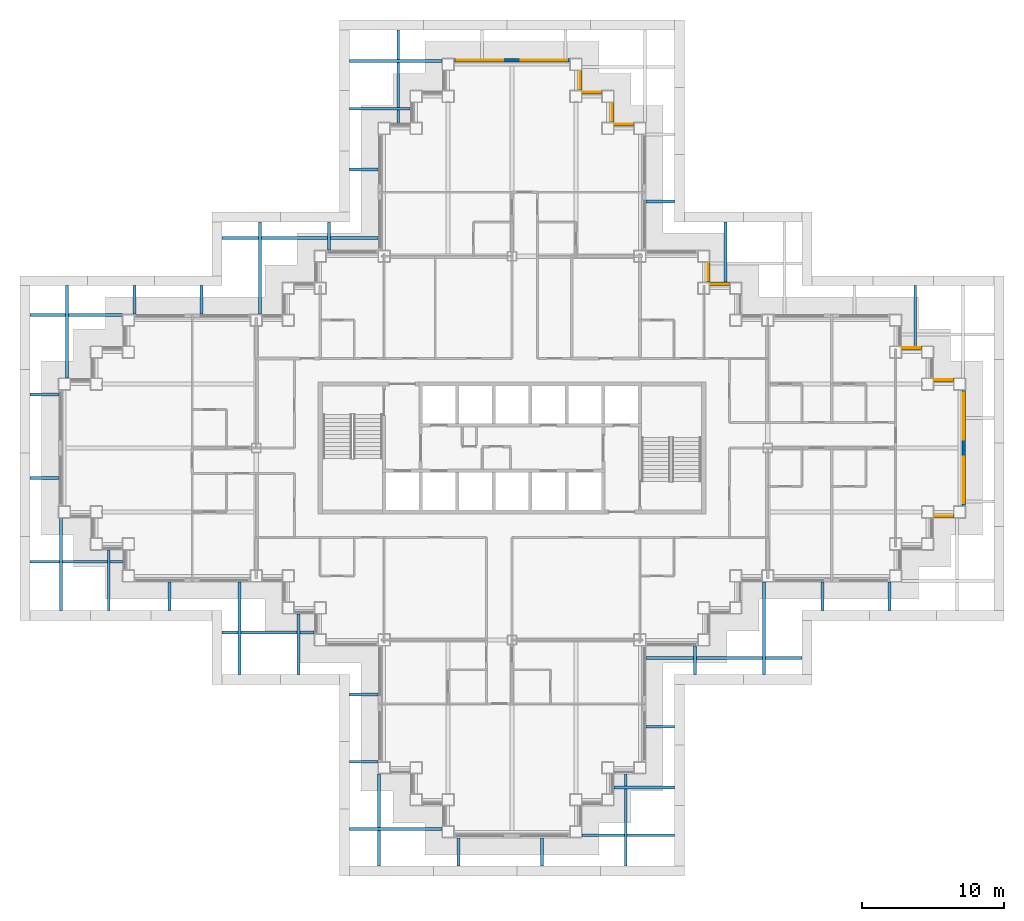
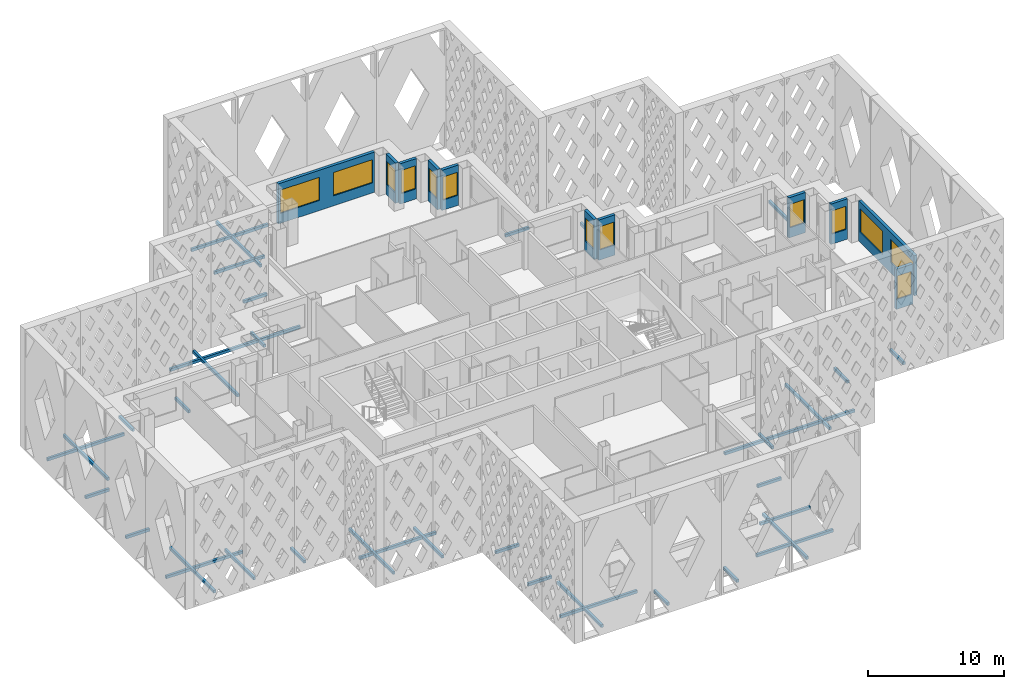
# One storey, part 11 of 21: 38 discrete accessories, 13 windows, 11 walls, 13 openings.
"""IFC4 building model written with IfcOpenShell, lengths in metres."""

from ifc_helpers import new_model, si_unit, direction, frame, frame_2d, origin, origin_2d, place, context, subcontext, project, spatial, rectangle, extrude, material, layer, layer_set, type_object, element, fill, save


model = new_model("IFC4")

# Units and contexts
model_context = context("Model", 3, precision=1e-05, world=origin(), true_north=direction((0.0, 1.0)))
body_context = subcontext(model_context, "Body", "Model", "MODEL_VIEW")
ifc_project = project(units=[si_unit("LENGTHUNIT", "METRE"), si_unit("AREAUNIT", "SQUARE_METRE"), si_unit("VOLUMEUNIT", "CUBIC_METRE"), si_unit("PLANEANGLEUNIT", "RADIAN"), si_unit("MASSUNIT", "GRAM", prefix="KILO")], contexts=[model_context])

# Site, building, storey
site_placement = place(None, origin())
site = spatial("IfcSite", under=ifc_project, at=site_placement, CompositionType="ELEMENT")
building_placement = place(site_placement, origin())
building = spatial("IfcBuilding", under=site, at=building_placement, Name="Caravel Reach Hotel and Residences", CompositionType="ELEMENT")
storey_placement = place(building_placement, frame((0.0, 0.0, 129.60009765625)))
storey = spatial("IfcBuildingStorey", under=building, at=storey_placement, Name="L32", CompositionType="ELEMENT", Elevation=129.60009765625)

# Wall, opening, window
ifc_material_1 = material(Name="Insulated rainscreen wall, aluminium cladding", Category="aluminium")
ifc_layer = layer(ifc_material_1, 0.25)
ifc_layer_set = layer_set([ifc_layer], Name="EW1 Tower rainscreen wall")
wall_type = type_object("IfcWallType", Name="EW1 Tower rainscreen wall", PredefinedType="SOLIDWALL", material=ifc_layer_set)
wall_1_placement = place(storey_placement, frame((61.175048828125, 22.199951171875, 0.0), z_axis=(0.0, 0.0, 1.0), x_axis=(1.0, 0.0, 0.0)))
wall_1 = element("IfcWall", 1, at=wall_1_placement, inside=storey, type_object=wall_type, Name="External wall L32 S19.1", PredefinedType="SOLIDWALL", context=body_context, shape_type="SweptSolid", body=[
    extrude(rectangle(XDim=1.39990234375, YDim=0.25, at=frame_2d((0.699951171875, 0.0))), origin(), (0.0, 0.0, 1.0), 3.599853515625),
])
opening_1_placement = place(wall_1_placement, frame((0.10009765625, 0.0, 0.89990234375)))
opening_1 = element("IfcOpeningElement", 2, at=opening_1_placement, cuts=wall_1, Name="Opening WN9", PredefinedType="OPENING", context=body_context, shape_type="SweptSolid", body=[
    extrude(rectangle(XDim=1.199951171875, YDim=2.080078125, at=frame_2d((0.60009765625, 1.0400390625))), frame((0.0, 0.135009765625, 0.0), z_axis=(0.0, -1.0, 0.0), x_axis=(1.0, 0.0, 0.0)), (0.0, 0.0, 1.0), 0.27001953125),
])
ifc_material_2 = material(Name="Dark low-e glazing in black aluminium frame", Category="aluminium")
window_type_1 = type_object("IfcWindowType", Name="Hotel suite corner window 1200 x 2080", PartitioningType="SINGLE_PANEL", PredefinedType="WINDOW", material=ifc_material_2)
window_1_placement = place(opening_1_placement, origin())
window_1 = element("IfcWindow", 3, at=window_1_placement, inside=storey, type_object=window_type_1, Name="Window L32 S19.1.1", OverallHeight=2.080078125, OverallWidth=1.199951171875, PartitioningType="SINGLE_PANEL", PredefinedType="WINDOW", context=body_context, shape_type="SweptSolid", body=[
    extrude(rectangle(XDim=1.199951171875, YDim=2.080078125, at=frame_2d((0.60009765625, 1.0400390625))), frame((0.0, 0.030029296875, 0.0), z_axis=(0.0, -1.0, 0.0), x_axis=(1.0, 0.0, 0.0)), (0.0, 0.0, 1.0), 0.06005859375),
])
fill(opening_1, window_1)

# Wall, openings, windows
wall_2_placement = place(storey_placement, frame((63.300048828125, 22.925048828125, 0.0), z_axis=(0.0, 0.0, 1.0), x_axis=(0.0, 1.0, 0.0)))
wall_2 = element("IfcWall", 4, at=wall_2_placement, inside=storey, type_object=wall_type, Name="External wall L32 E20.1", PredefinedType="SOLIDWALL", context=body_context, shape_type="SweptSolid", body=[
    extrude(rectangle(XDim=8.14990234375, YDim=0.25, at=frame_2d((4.074951171875, 0.0))), origin(), (0.0, 0.0, 1.0), 3.599853515625),
])
opening_2_placement = place(wall_2_placement, frame((0.175048828125, 0.0, 0.89990234375)))
opening_2 = element("IfcOpeningElement", 5, at=opening_2_placement, cuts=wall_2, Name="Opening WN4", PredefinedType="OPENING", context=body_context, shape_type="SweptSolid", body=[
    extrude(rectangle(XDim=3.300048828125, YDim=2.080078125, at=frame_2d((1.64990234375, 1.0400390625))), frame((0.0, 0.135009765625, 0.0), z_axis=(0.0, -1.0, 0.0), x_axis=(1.0, 0.0, 0.0)), (0.0, 0.0, 1.0), 0.27001953125),
])
opening_3_placement = place(wall_2_placement, frame((4.675048828125, 0.0, 0.89990234375)))
opening_3 = element("IfcOpeningElement", 6, at=opening_3_placement, cuts=wall_2, Name="Opening WN4", PredefinedType="OPENING", context=body_context, shape_type="SweptSolid", body=[
    extrude(rectangle(XDim=3.300048828125, YDim=2.080078125, at=frame_2d((1.64990234375, 1.0400390625))), frame((0.0, 0.135009765625, 0.0), z_axis=(0.0, -1.0, 0.0), x_axis=(1.0, 0.0, 0.0)), (0.0, 0.0, 1.0), 0.27001953125),
])
ifc_material_3 = material(Name="Dark low-e glazing in black aluminium frame", Category="aluminium")
window_type_2 = type_object("IfcWindowType", Name="Hotel guest room window 3300 x 2080", PartitioningType="SINGLE_PANEL", PredefinedType="WINDOW", material=ifc_material_3)
window_2_placement = place(opening_2_placement, origin())
window_2 = element("IfcWindow", 7, at=window_2_placement, inside=storey, type_object=window_type_2, Name="Window L32 E20.1.1", OverallHeight=2.080078125, OverallWidth=3.300048828125, PartitioningType="SINGLE_PANEL", PredefinedType="WINDOW", context=body_context, shape_type="SweptSolid", body=[
    extrude(rectangle(XDim=3.300048828125, YDim=2.080078125, at=frame_2d((1.64990234375, 1.0400390625))), frame((0.0, 0.030029296875, 0.0), z_axis=(0.0, -1.0, 0.0), x_axis=(1.0, 0.0, 0.0)), (0.0, 0.0, 1.0), 0.06005859375),
])
fill(opening_2, window_2)
window_3_placement = place(opening_3_placement, origin())
window_3 = element("IfcWindow", 8, at=window_3_placement, inside=storey, type_object=window_type_2, Name="Window L32 E20.1.2", OverallHeight=2.080078125, OverallWidth=3.300048828125, PartitioningType="SINGLE_PANEL", PredefinedType="WINDOW", context=body_context, shape_type="SweptSolid", body=[
    extrude(rectangle(XDim=3.300048828125, YDim=2.080078125, at=frame_2d((1.64990234375, 1.0400390625))), frame((0.0, 0.030029296875, 0.0), z_axis=(0.0, -1.0, 0.0), x_axis=(1.0, 0.0, 0.0)), (0.0, 0.0, 1.0), 0.06005859375),
])
fill(opening_3, window_3)

# Wall, opening, window
wall_3_placement = place(storey_placement, frame((62.574951171875, 31.800048828125, 0.0), z_axis=(0.0, 0.0, 1.0), x_axis=(-1.0, 0.0, 0.0)))
wall_3 = element("IfcWall", 9, at=wall_3_placement, inside=storey, type_object=wall_type, Name="External wall L32 N21.1", PredefinedType="SOLIDWALL", context=body_context, shape_type="SweptSolid", body=[
    extrude(rectangle(XDim=1.39990234375, YDim=0.25, at=frame_2d((0.699951171875, 0.0))), origin(), (0.0, 0.0, 1.0), 3.599853515625),
])
opening_4_placement = place(wall_3_placement, frame((0.10009765625, 0.0, 0.89990234375)))
opening_4 = element("IfcOpeningElement", 10, at=opening_4_placement, cuts=wall_3, Name="Opening WN9", PredefinedType="OPENING", context=body_context, shape_type="SweptSolid", body=[
    extrude(rectangle(XDim=1.199951171875, YDim=2.080078125, at=frame_2d((0.60009765625, 1.0400390625))), frame((0.0, 0.135009765625, 0.0), z_axis=(0.0, -1.0, 0.0), x_axis=(1.0, 0.0, 0.0)), (0.0, 0.0, 1.0), 0.27001953125),
])
window_4_placement = place(opening_4_placement, origin())
window_4 = element("IfcWindow", 11, at=window_4_placement, inside=storey, type_object=window_type_1, Name="Window L32 N21.1.1", OverallHeight=2.080078125, OverallWidth=1.199951171875, PartitioningType="SINGLE_PANEL", PredefinedType="WINDOW", context=body_context, shape_type="SweptSolid", body=[
    extrude(rectangle(XDim=1.199951171875, YDim=2.080078125, at=frame_2d((0.60009765625, 1.0400390625))), frame((0.0, 0.030029296875, 0.0), z_axis=(0.0, -1.0, 0.0), x_axis=(1.0, 0.0, 0.0)), (0.0, 0.0, 1.0), 0.06005859375),
])
fill(opening_4, window_4)

wall_4_placement = place(storey_placement, frame((60.324951171875, 34.050048828125, 0.0), z_axis=(0.0, 0.0, 1.0), x_axis=(-1.0, 0.0, 0.0)))
wall_4 = element("IfcWall", 12, at=wall_4_placement, inside=storey, type_object=wall_type, Name="External wall L32 N23.1", PredefinedType="SOLIDWALL", context=body_context, shape_type="SweptSolid", body=[
    extrude(rectangle(XDim=1.39990234375, YDim=0.25, at=frame_2d((0.699951171875, 0.0))), origin(), (0.0, 0.0, 1.0), 3.599853515625),
])
opening_5_placement = place(wall_4_placement, frame((0.10009765625, 0.0, 0.89990234375)))
opening_5 = element("IfcOpeningElement", 13, at=opening_5_placement, cuts=wall_4, Name="Opening WN9", PredefinedType="OPENING", context=body_context, shape_type="SweptSolid", body=[
    extrude(rectangle(XDim=1.199951171875, YDim=2.080078125, at=frame_2d((0.60009765625, 1.0400390625))), frame((0.0, 0.135009765625, 0.0), z_axis=(0.0, -1.0, 0.0), x_axis=(1.0, 0.0, 0.0)), (0.0, 0.0, 1.0), 0.27001953125),
])
window_5_placement = place(opening_5_placement, origin())
window_5 = element("IfcWindow", 14, at=window_5_placement, inside=storey, type_object=window_type_1, Name="Window L32 N23.1.1", OverallHeight=2.080078125, OverallWidth=1.199951171875, PartitioningType="SINGLE_PANEL", PredefinedType="WINDOW", context=body_context, shape_type="SweptSolid", body=[
    extrude(rectangle(XDim=1.199951171875, YDim=2.080078125, at=frame_2d((0.60009765625, 1.0400390625))), frame((0.0, 0.030029296875, 0.0), z_axis=(0.0, -1.0, 0.0), x_axis=(1.0, 0.0, 0.0)), (0.0, 0.0, 1.0), 0.06005859375),
])
fill(opening_5, window_5)

wall_5_placement = place(storey_placement, frame((46.824951171875, 38.550048828125, 0.0), z_axis=(0.0, 0.0, 1.0), x_axis=(-1.0, 0.0, 0.0)))
wall_5 = element("IfcWall", 15, at=wall_5_placement, inside=storey, type_object=wall_type, Name="External wall L32 N27.1", PredefinedType="SOLIDWALL", context=body_context, shape_type="SweptSolid", body=[
    extrude(rectangle(XDim=1.39990234375, YDim=0.25, at=frame_2d((0.699951171875, 0.0))), origin(), (0.0, 0.0, 1.0), 3.599853515625),
])
opening_6_placement = place(wall_5_placement, frame((0.10009765625, 0.0, 0.89990234375)))
opening_6 = element("IfcOpeningElement", 16, at=opening_6_placement, cuts=wall_5, Name="Opening WN9", PredefinedType="OPENING", context=body_context, shape_type="SweptSolid", body=[
    extrude(rectangle(XDim=1.199951171875, YDim=2.080078125, at=frame_2d((0.60009765625, 1.0400390625))), frame((0.0, 0.135009765625, 0.0), z_axis=(0.0, -1.0, 0.0), x_axis=(1.0, 0.0, 0.0)), (0.0, 0.0, 1.0), 0.27001953125),
])
window_6_placement = place(opening_6_placement, origin())
window_6 = element("IfcWindow", 17, at=window_6_placement, inside=storey, type_object=window_type_1, Name="Window L32 N27.1.1", OverallHeight=2.080078125, OverallWidth=1.199951171875, PartitioningType="SINGLE_PANEL", PredefinedType="WINDOW", context=body_context, shape_type="SweptSolid", body=[
    extrude(rectangle(XDim=1.199951171875, YDim=2.080078125, at=frame_2d((0.60009765625, 1.0400390625))), frame((0.0, 0.030029296875, 0.0), z_axis=(0.0, -1.0, 0.0), x_axis=(1.0, 0.0, 0.0)), (0.0, 0.0, 1.0), 0.06005859375),
])
fill(opening_6, window_6)

wall_6_placement = place(storey_placement, frame((45.300048828125, 38.675048828125, 0.0), z_axis=(0.0, 0.0, 1.0), x_axis=(0.0, 1.0, 0.0)))
wall_6 = element("IfcWall", 18, at=wall_6_placement, inside=storey, type_object=wall_type, Name="External wall L32 E28.1", PredefinedType="SOLIDWALL", context=body_context, shape_type="SweptSolid", body=[
    extrude(rectangle(XDim=1.39990234375, YDim=0.25, at=frame_2d((0.699951171875, 0.0))), origin(), (0.0, 0.0, 1.0), 3.599853515625),
])
opening_7_placement = place(wall_6_placement, frame((0.10009765625, 0.0, 0.89990234375)))
opening_7 = element("IfcOpeningElement", 19, at=opening_7_placement, cuts=wall_6, Name="Opening WN9", PredefinedType="OPENING", context=body_context, shape_type="SweptSolid", body=[
    extrude(rectangle(XDim=1.199951171875, YDim=2.080078125, at=frame_2d((0.60009765625, 1.0400390625))), frame((0.0, 0.135009765625, 0.0), z_axis=(0.0, -1.0, 0.0), x_axis=(1.0, 0.0, 0.0)), (0.0, 0.0, 1.0), 0.27001953125),
])
window_7_placement = place(opening_7_placement, origin())
window_7 = element("IfcWindow", 20, at=window_7_placement, inside=storey, type_object=window_type_1, Name="Window L32 E28.1.1", OverallHeight=2.080078125, OverallWidth=1.199951171875, PartitioningType="SINGLE_PANEL", PredefinedType="WINDOW", context=body_context, shape_type="SweptSolid", body=[
    extrude(rectangle(XDim=1.199951171875, YDim=2.080078125, at=frame_2d((0.60009765625, 1.0400390625))), frame((0.0, 0.030029296875, 0.0), z_axis=(0.0, -1.0, 0.0), x_axis=(1.0, 0.0, 0.0)), (0.0, 0.0, 1.0), 0.06005859375),
])
fill(opening_7, window_7)

wall_7_placement = place(storey_placement, frame((40.074951171875, 49.800048828125, 0.0), z_axis=(0.0, 0.0, 1.0), x_axis=(-1.0, 0.0, 0.0)))
wall_7 = element("IfcWall", 21, at=wall_7_placement, inside=storey, type_object=wall_type, Name="External wall L32 N31.1", PredefinedType="SOLIDWALL", context=body_context, shape_type="SweptSolid", body=[
    extrude(rectangle(XDim=1.39990234375, YDim=0.25, at=frame_2d((0.699951171875, 0.0))), origin(), (0.0, 0.0, 1.0), 3.599853515625),
])
opening_8_placement = place(wall_7_placement, frame((0.10009765625, 0.0, 0.89990234375)))
opening_8 = element("IfcOpeningElement", 22, at=opening_8_placement, cuts=wall_7, Name="Opening WN9", PredefinedType="OPENING", context=body_context, shape_type="SweptSolid", body=[
    extrude(rectangle(XDim=1.199951171875, YDim=2.080078125, at=frame_2d((0.60009765625, 1.0400390625))), frame((0.0, 0.135009765625, 0.0), z_axis=(0.0, -1.0, 0.0), x_axis=(1.0, 0.0, 0.0)), (0.0, 0.0, 1.0), 0.27001953125),
])
window_8_placement = place(opening_8_placement, origin())
window_8 = element("IfcWindow", 23, at=window_8_placement, inside=storey, type_object=window_type_1, Name="Window L32 N31.1.1", OverallHeight=2.080078125, OverallWidth=1.199951171875, PartitioningType="SINGLE_PANEL", PredefinedType="WINDOW", context=body_context, shape_type="SweptSolid", body=[
    extrude(rectangle(XDim=1.199951171875, YDim=2.080078125, at=frame_2d((0.60009765625, 1.0400390625))), frame((0.0, 0.030029296875, 0.0), z_axis=(0.0, -1.0, 0.0), x_axis=(1.0, 0.0, 0.0)), (0.0, 0.0, 1.0), 0.06005859375),
])
fill(opening_8, window_8)

wall_8_placement = place(storey_placement, frame((38.550048828125, 49.925048828125, 0.0), z_axis=(0.0, 0.0, 1.0), x_axis=(0.0, 1.0, 0.0)))
wall_8 = element("IfcWall", 24, at=wall_8_placement, inside=storey, type_object=wall_type, Name="External wall L32 E32.1", PredefinedType="SOLIDWALL", context=body_context, shape_type="SweptSolid", body=[
    extrude(rectangle(XDim=1.39990234375, YDim=0.25, at=frame_2d((0.699951171875, 0.0))), origin(), (0.0, 0.0, 1.0), 3.599853515625),
])
opening_9_placement = place(wall_8_placement, frame((0.10009765625, 0.0, 0.89990234375)))
opening_9 = element("IfcOpeningElement", 25, at=opening_9_placement, cuts=wall_8, Name="Opening WN9", PredefinedType="OPENING", context=body_context, shape_type="SweptSolid", body=[
    extrude(rectangle(XDim=1.199951171875, YDim=2.080078125, at=frame_2d((0.60009765625, 1.0400390625))), frame((0.0, 0.135009765625, 0.0), z_axis=(0.0, -1.0, 0.0), x_axis=(1.0, 0.0, 0.0)), (0.0, 0.0, 1.0), 0.27001953125),
])
window_9_placement = place(opening_9_placement, origin())
window_9 = element("IfcWindow", 26, at=window_9_placement, inside=storey, type_object=window_type_1, Name="Window L32 E32.1.1", OverallHeight=2.080078125, OverallWidth=1.199951171875, PartitioningType="SINGLE_PANEL", PredefinedType="WINDOW", context=body_context, shape_type="SweptSolid", body=[
    extrude(rectangle(XDim=1.199951171875, YDim=2.080078125, at=frame_2d((0.60009765625, 1.0400390625))), frame((0.0, 0.030029296875, 0.0), z_axis=(0.0, -1.0, 0.0), x_axis=(1.0, 0.0, 0.0)), (0.0, 0.0, 1.0), 0.06005859375),
])
fill(opening_9, window_9)

wall_9_placement = place(storey_placement, frame((37.824951171875, 52.050048828125, 0.0), z_axis=(0.0, 0.0, 1.0), x_axis=(-1.0, 0.0, 0.0)))
wall_9 = element("IfcWall", 27, at=wall_9_placement, inside=storey, type_object=wall_type, Name="External wall L32 N33.1", PredefinedType="SOLIDWALL", context=body_context, shape_type="SweptSolid", body=[
    extrude(rectangle(XDim=1.39990234375, YDim=0.25, at=frame_2d((0.699951171875, 0.0))), origin(), (0.0, 0.0, 1.0), 3.599853515625),
])
opening_10_placement = place(wall_9_placement, frame((0.10009765625, 0.0, 0.89990234375)))
opening_10 = element("IfcOpeningElement", 28, at=opening_10_placement, cuts=wall_9, Name="Opening WN9", PredefinedType="OPENING", context=body_context, shape_type="SweptSolid", body=[
    extrude(rectangle(XDim=1.199951171875, YDim=2.080078125, at=frame_2d((0.60009765625, 1.0400390625))), frame((0.0, 0.135009765625, 0.0), z_axis=(0.0, -1.0, 0.0), x_axis=(1.0, 0.0, 0.0)), (0.0, 0.0, 1.0), 0.27001953125),
])
window_10_placement = place(opening_10_placement, origin())
window_10 = element("IfcWindow", 29, at=window_10_placement, inside=storey, type_object=window_type_1, Name="Window L32 N33.1.1", OverallHeight=2.080078125, OverallWidth=1.199951171875, PartitioningType="SINGLE_PANEL", PredefinedType="WINDOW", context=body_context, shape_type="SweptSolid", body=[
    extrude(rectangle(XDim=1.199951171875, YDim=2.080078125, at=frame_2d((0.60009765625, 1.0400390625))), frame((0.0, 0.030029296875, 0.0), z_axis=(0.0, -1.0, 0.0), x_axis=(1.0, 0.0, 0.0)), (0.0, 0.0, 1.0), 0.06005859375),
])
fill(opening_10, window_10)

wall_10_placement = place(storey_placement, frame((36.300048828125, 52.175048828125, 0.0), z_axis=(0.0, 0.0, 1.0), x_axis=(0.0, 1.0, 0.0)))
wall_10 = element("IfcWall", 30, at=wall_10_placement, inside=storey, type_object=wall_type, Name="External wall L32 E34.1", PredefinedType="SOLIDWALL", context=body_context, shape_type="SweptSolid", body=[
    extrude(rectangle(XDim=1.39990234375, YDim=0.25, at=frame_2d((0.699951171875, 0.0))), origin(), (0.0, 0.0, 1.0), 3.599853515625),
])
opening_11_placement = place(wall_10_placement, frame((0.10009765625, 0.0, 0.89990234375)))
opening_11 = element("IfcOpeningElement", 31, at=opening_11_placement, cuts=wall_10, Name="Opening WN9", PredefinedType="OPENING", context=body_context, shape_type="SweptSolid", body=[
    extrude(rectangle(XDim=1.199951171875, YDim=2.080078125, at=frame_2d((0.60009765625, 1.0400390625))), frame((0.0, 0.135009765625, 0.0), z_axis=(0.0, -1.0, 0.0), x_axis=(1.0, 0.0, 0.0)), (0.0, 0.0, 1.0), 0.27001953125),
])
window_11_placement = place(opening_11_placement, origin())
window_11 = element("IfcWindow", 32, at=window_11_placement, inside=storey, type_object=window_type_1, Name="Window L32 E34.1.1", OverallHeight=2.080078125, OverallWidth=1.199951171875, PartitioningType="SINGLE_PANEL", PredefinedType="WINDOW", context=body_context, shape_type="SweptSolid", body=[
    extrude(rectangle(XDim=1.199951171875, YDim=2.080078125, at=frame_2d((0.60009765625, 1.0400390625))), frame((0.0, 0.030029296875, 0.0), z_axis=(0.0, -1.0, 0.0), x_axis=(1.0, 0.0, 0.0)), (0.0, 0.0, 1.0), 0.06005859375),
])
fill(opening_11, window_11)

# Wall, openings, windows
wall_11_placement = place(storey_placement, frame((35.574951171875, 54.300048828125, 0.0), z_axis=(0.0, 0.0, 1.0), x_axis=(-1.0, 0.0, 0.0)))
wall_11 = element("IfcWall", 33, at=wall_11_placement, inside=storey, type_object=wall_type, Name="External wall L32 N35.1", PredefinedType="SOLIDWALL", context=body_context, shape_type="SweptSolid", body=[
    extrude(rectangle(XDim=8.14990234375, YDim=0.25, at=frame_2d((4.074951171875, 0.0))), origin(), (0.0, 0.0, 1.0), 3.599853515625),
])
opening_12_placement = place(wall_11_placement, frame((0.175048828125, 0.0, 0.89990234375)))
opening_12 = element("IfcOpeningElement", 34, at=opening_12_placement, cuts=wall_11, Name="Opening WN4", PredefinedType="OPENING", context=body_context, shape_type="SweptSolid", body=[
    extrude(rectangle(XDim=3.300048828125, YDim=2.080078125, at=frame_2d((1.64990234375, 1.0400390625))), frame((0.0, 0.135009765625, 0.0), z_axis=(0.0, -1.0, 0.0), x_axis=(1.0, 0.0, 0.0)), (0.0, 0.0, 1.0), 0.27001953125),
])
opening_13_placement = place(wall_11_placement, frame((4.675048828125, 0.0, 0.89990234375)))
opening_13 = element("IfcOpeningElement", 35, at=opening_13_placement, cuts=wall_11, Name="Opening WN4", PredefinedType="OPENING", context=body_context, shape_type="SweptSolid", body=[
    extrude(rectangle(XDim=3.300048828125, YDim=2.080078125, at=frame_2d((1.64990234375, 1.0400390625))), frame((0.0, 0.135009765625, 0.0), z_axis=(0.0, -1.0, 0.0), x_axis=(1.0, 0.0, 0.0)), (0.0, 0.0, 1.0), 0.27001953125),
])
window_12_placement = place(opening_12_placement, origin())
window_12 = element("IfcWindow", 36, at=window_12_placement, inside=storey, type_object=window_type_2, Name="Window L32 N35.1.1", OverallHeight=2.080078125, OverallWidth=3.300048828125, PartitioningType="SINGLE_PANEL", PredefinedType="WINDOW", context=body_context, shape_type="SweptSolid", body=[
    extrude(rectangle(XDim=3.300048828125, YDim=2.080078125, at=frame_2d((1.64990234375, 1.0400390625))), frame((0.0, 0.030029296875, 0.0), z_axis=(0.0, -1.0, 0.0), x_axis=(1.0, 0.0, 0.0)), (0.0, 0.0, 1.0), 0.06005859375),
])
fill(opening_12, window_12)
window_13_placement = place(opening_13_placement, origin())
window_13 = element("IfcWindow", 37, at=window_13_placement, inside=storey, type_object=window_type_2, Name="Window L32 N35.1.2", OverallHeight=2.080078125, OverallWidth=3.300048828125, PartitioningType="SINGLE_PANEL", PredefinedType="WINDOW", context=body_context, shape_type="SweptSolid", body=[
    extrude(rectangle(XDim=3.300048828125, YDim=2.080078125, at=frame_2d((1.64990234375, 1.0400390625))), frame((0.0, 0.030029296875, 0.0), z_axis=(0.0, -1.0, 0.0), x_axis=(1.0, 0.0, 0.0)), (0.0, 0.0, 1.0), 0.06005859375),
])
fill(opening_13, window_13)

# Discrete accessories
ifc_material_4 = material(Name="Black powder-coated aluminium", Category="aluminium")
discrete_accessory_type = type_object("IfcDiscreteAccessoryType", Name="BR1 Screen bracket", PredefinedType="BRACKET", material=ifc_material_4)
for number, where, z_axis, x_axis, name in (
    (38, (21.074951171875, 9.655029296875, 0.099853515625), (0.0, 0.0, 1.0), (-1.0, 0.0, 0.0), "Screen bracket L32 1.1.1"),
    (39, (21.074951171875, 4.921630859375, 0.099853515625), (0.0, 0.0, 1.0), (-1.0, 0.0, 0.0), "Screen bracket L32 1.2.1"),
):
    element("IfcDiscreteAccessory", number, at=place(storey_placement, frame(where, z_axis=z_axis, x_axis=x_axis)), inside=storey, type_object=discrete_accessory_type, Name=name, PredefinedType="BRACKET", context=body_context, shape_type="SweptSolid", body=[
        extrude(rectangle(XDim=2.0, YDim=0.199951171875, at=origin_2d()), origin(), (0.0, 0.0, 1.0), 0.25),
    ])
for number, where, z_axis, x_axis, name in (
    (40, (23.324951171875, 0.188232421875, 0.099853515625), (0.0, 0.0, 1.0), (-1.0, 0.0, 0.0), "Screen bracket L32 1.3.1"),
    (41, (22.141357421875, 0.824951171875, 0.099853515625), (0.0, 0.0, 1.0), (0.0, -1.0, 0.0), "Screen bracket L32 2.1.1"),
):
    element("IfcDiscreteAccessory", number, at=place(storey_placement, frame(where, z_axis=z_axis, x_axis=x_axis)), inside=storey, type_object=discrete_accessory_type, Name=name, PredefinedType="BRACKET", context=body_context, shape_type="SweptSolid", body=[
        extrude(rectangle(XDim=6.5, YDim=0.199951171875, at=origin_2d()), origin(), (0.0, 0.0, 1.0), 0.25),
    ])
for number, where, z_axis, x_axis, name in (
    (42, (27.728759765625, -1.425048828125, 0.099853515625), (0.0, 0.0, 1.0), (0.0, -1.0, 0.0), "Screen bracket L32 2.2.1"),
    (43, (33.6162109375, -1.425048828125, 0.099853515625), (0.0, 0.0, 1.0), (0.0, -1.0, 0.0), "Screen bracket L32 2.3.1"),
):
    element("IfcDiscreteAccessory", number, at=place(storey_placement, frame(where, z_axis=z_axis, x_axis=x_axis)), inside=storey, type_object=discrete_accessory_type, Name=name, PredefinedType="BRACKET", context=body_context, shape_type="SweptSolid", body=[
        extrude(rectangle(XDim=2.0, YDim=0.199951171875, at=origin_2d()), origin(), (0.0, 0.0, 1.0), 0.25),
    ])
for number, where, z_axis, x_axis, name in (
    (44, (39.503662109375, 0.824951171875, 0.099853515625), (0.0, 0.0, 1.0), (0.0, -1.0, 0.0), "Screen bracket L32 2.4.1"),
    (45, (39.675048828125, -0.2451171875, 0.099853515625), (0.0, 0.0, 1.0), (1.0, 0.0, 0.0), "Screen bracket L32 3.1.1"),
):
    element("IfcDiscreteAccessory", number, at=place(storey_placement, frame(where, z_axis=z_axis, x_axis=x_axis)), inside=storey, type_object=discrete_accessory_type, Name=name, PredefinedType="BRACKET", context=body_context, shape_type="SweptSolid", body=[
        extrude(rectangle(XDim=6.5, YDim=0.199951171875, at=origin_2d()), origin(), (0.0, 0.0, 1.0), 0.25),
    ])
discrete_accessory_1_placement = place(storey_placement, frame((40.800048828125, 3.12158203125, 0.099853515625), z_axis=(0.0, 0.0, 1.0), x_axis=(1.0, 0.0, 0.0)))
element("IfcDiscreteAccessory", 46, at=discrete_accessory_1_placement, inside=storey, type_object=discrete_accessory_type, Name="Screen bracket L32 3.2.1", PredefinedType="BRACKET", context=body_context, shape_type="SweptSolid", body=[
    extrude(rectangle(XDim=4.25, YDim=0.199951171875, at=origin_2d()), origin(), (0.0, 0.0, 1.0), 0.25),
])
for number, where, z_axis, x_axis, name in (
    (47, (41.925048828125, 7.388427734375, 0.099853515625), (0.0, 0.0, 1.0), (1.0, 0.0, 0.0), "Screen bracket L32 3.3.1"),
    (48, (44.3798828125, 12.074951171875, 0.099853515625), (0.0, 0.0, 1.0), (0.0, -1.0, 0.0), "Screen bracket L32 4.1.1"),
):
    element("IfcDiscreteAccessory", number, at=place(storey_placement, frame(where, z_axis=z_axis, x_axis=x_axis)), inside=storey, type_object=discrete_accessory_type, Name=name, PredefinedType="BRACKET", context=body_context, shape_type="SweptSolid", body=[
        extrude(rectangle(XDim=2.0, YDim=0.199951171875, at=origin_2d()), origin(), (0.0, 0.0, 1.0), 0.25),
    ])
discrete_accessory_2_placement = place(storey_placement, frame((49.22998046875, 14.324951171875, 0.099853515625), z_axis=(0.0, 0.0, 1.0), x_axis=(0.0, -1.0, 0.0)))
element("IfcDiscreteAccessory", 49, at=discrete_accessory_2_placement, inside=storey, type_object=discrete_accessory_type, Name="Screen bracket L32 4.2.1", PredefinedType="BRACKET", context=body_context, shape_type="SweptSolid", body=[
    extrude(rectangle(XDim=6.5, YDim=0.199951171875, at=origin_2d()), origin(), (0.0, 0.0, 1.0), 0.25),
])
discrete_accessory_3_placement = place(storey_placement, frame((46.425048828125, 12.215087890625, 0.099853515625), z_axis=(0.0, 0.0, 1.0), x_axis=(1.0, 0.0, 0.0)))
element("IfcDiscreteAccessory", 50, at=discrete_accessory_3_placement, inside=storey, type_object=discrete_accessory_type, Name="Screen bracket L32 5.1.1", PredefinedType="BRACKET", context=body_context, shape_type="SweptSolid", body=[
    extrude(rectangle(XDim=11.0, YDim=0.199951171875, at=origin_2d()), origin(), (0.0, 0.0, 1.0), 0.25),
])
for number, where, z_axis, x_axis, name in (
    (51, (53.344970703125, 16.574951171875, 0.099853515625), (0.0, 0.0, 1.0), (0.0, -1.0, 0.0), "Screen bracket L32 6.1.1"),
    (52, (58.078369140625, 16.574951171875, 0.099853515625), (0.0, 0.0, 1.0), (0.0, -1.0, 0.0), "Screen bracket L32 6.2.1"),
):
    element("IfcDiscreteAccessory", number, at=place(storey_placement, frame(where, z_axis=z_axis, x_axis=x_axis)), inside=storey, type_object=discrete_accessory_type, Name=name, PredefinedType="BRACKET", context=body_context, shape_type="SweptSolid", body=[
        extrude(rectangle(XDim=2.0, YDim=0.199951171875, at=origin_2d()), origin(), (0.0, 0.0, 1.0), 0.25),
    ])
for number, where, z_axis, x_axis, name in (
    (53, (59.87841796875, 36.300048828125, 0.099853515625), (0.0, 0.0, 1.0), (0.0, 1.0, 0.0), "Screen bracket L32 8.2.1"),
    (54, (46.530029296875, 40.800048828125, 0.099853515625), (0.0, 0.0, 1.0), (0.0, 1.0, 0.0), "Screen bracket L32 10.2.1"),
):
    element("IfcDiscreteAccessory", number, at=place(storey_placement, frame(where, z_axis=z_axis, x_axis=x_axis)), inside=storey, type_object=discrete_accessory_type, Name=name, PredefinedType="BRACKET", context=body_context, shape_type="SweptSolid", body=[
        extrude(rectangle(XDim=4.25, YDim=0.199951171875, at=origin_2d()), origin(), (0.0, 0.0, 1.0), 0.25),
    ])
discrete_accessory_4_placement = place(storey_placement, frame((41.925048828125, 44.344970703125, 0.099853515625), z_axis=(0.0, 0.0, 1.0), x_axis=(1.0, 0.0, 0.0)))
element("IfcDiscreteAccessory", 55, at=discrete_accessory_4_placement, inside=storey, type_object=discrete_accessory_type, Name="Screen bracket L32 11.1.1", PredefinedType="BRACKET", context=body_context, shape_type="SweptSolid", body=[
    extrude(rectangle(XDim=2.0, YDim=0.199951171875, at=origin_2d()), origin(), (0.0, 0.0, 1.0), 0.25),
])
for number, where, z_axis, x_axis, name in (
    (56, (23.496337890625, 53.175048828125, 0.099853515625), (0.0, 0.0, 1.0), (0.0, 1.0, 0.0), "Screen bracket L32 12.4.1"),
    (57, (23.324951171875, 54.2451171875, 0.099853515625), (0.0, 0.0, 1.0), (-1.0, 0.0, 0.0), "Screen bracket L32 13.1.1"),
):
    element("IfcDiscreteAccessory", number, at=place(storey_placement, frame(where, z_axis=z_axis, x_axis=x_axis)), inside=storey, type_object=discrete_accessory_type, Name=name, PredefinedType="BRACKET", context=body_context, shape_type="SweptSolid", body=[
        extrude(rectangle(XDim=6.5, YDim=0.199951171875, at=origin_2d()), origin(), (0.0, 0.0, 1.0), 0.25),
    ])
discrete_accessory_5_placement = place(storey_placement, frame((22.199951171875, 50.87841796875, 0.099853515625), z_axis=(0.0, 0.0, 1.0), x_axis=(-1.0, 0.0, 0.0)))
element("IfcDiscreteAccessory", 58, at=discrete_accessory_5_placement, inside=storey, type_object=discrete_accessory_type, Name="Screen bracket L32 13.2.1", PredefinedType="BRACKET", context=body_context, shape_type="SweptSolid", body=[
    extrude(rectangle(XDim=4.25, YDim=0.199951171875, at=origin_2d()), origin(), (0.0, 0.0, 1.0), 0.25),
])
for number, where, z_axis, x_axis, name in (
    (59, (21.074951171875, 46.611572265625, 0.099853515625), (0.0, 0.0, 1.0), (-1.0, 0.0, 0.0), "Screen bracket L32 13.3.1"),
    (60, (18.6201171875, 41.925048828125, 0.099853515625), (0.0, 0.0, 1.0), (0.0, 1.0, 0.0), "Screen bracket L32 14.1.1"),
):
    element("IfcDiscreteAccessory", number, at=place(storey_placement, frame(where, z_axis=z_axis, x_axis=x_axis)), inside=storey, type_object=discrete_accessory_type, Name=name, PredefinedType="BRACKET", context=body_context, shape_type="SweptSolid", body=[
        extrude(rectangle(XDim=2.0, YDim=0.199951171875, at=origin_2d()), origin(), (0.0, 0.0, 1.0), 0.25),
    ])
discrete_accessory_6_placement = place(storey_placement, frame((13.77001953125, 39.675048828125, 0.099853515625), z_axis=(0.0, 0.0, 1.0), x_axis=(0.0, 1.0, 0.0)))
element("IfcDiscreteAccessory", 61, at=discrete_accessory_6_placement, inside=storey, type_object=discrete_accessory_type, Name="Screen bracket L32 14.2.1", PredefinedType="BRACKET", context=body_context, shape_type="SweptSolid", body=[
    extrude(rectangle(XDim=6.5, YDim=0.199951171875, at=origin_2d()), origin(), (0.0, 0.0, 1.0), 0.25),
])
discrete_accessory_7_placement = place(storey_placement, frame((16.574951171875, 41.784912109375, 0.099853515625), z_axis=(0.0, 0.0, 1.0), x_axis=(-1.0, 0.0, 0.0)))
element("IfcDiscreteAccessory", 62, at=discrete_accessory_7_placement, inside=storey, type_object=discrete_accessory_type, Name="Screen bracket L32 15.1.1", PredefinedType="BRACKET", context=body_context, shape_type="SweptSolid", body=[
    extrude(rectangle(XDim=11.0, YDim=0.199951171875, at=origin_2d()), origin(), (0.0, 0.0, 1.0), 0.25),
])
for number, where, z_axis, x_axis, name in (
    (63, (9.655029296875, 37.425048828125, 0.099853515625), (0.0, 0.0, 1.0), (0.0, 1.0, 0.0), "Screen bracket L32 16.1.1"),
    (64, (4.921630859375, 37.425048828125, 0.099853515625), (0.0, 0.0, 1.0), (0.0, 1.0, 0.0), "Screen bracket L32 16.2.1"),
):
    element("IfcDiscreteAccessory", number, at=place(storey_placement, frame(where, z_axis=z_axis, x_axis=x_axis)), inside=storey, type_object=discrete_accessory_type, Name=name, PredefinedType="BRACKET", context=body_context, shape_type="SweptSolid", body=[
        extrude(rectangle(XDim=2.0, YDim=0.199951171875, at=origin_2d()), origin(), (0.0, 0.0, 1.0), 0.25),
    ])
for number, where, z_axis, x_axis, name in (
    (65, (0.188232421875, 35.175048828125, 0.099853515625), (0.0, 0.0, 1.0), (0.0, 1.0, 0.0), "Screen bracket L32 16.3.1"),
    (66, (0.824951171875, 36.358642578125, 0.099853515625), (0.0, 0.0, 1.0), (-1.0, 0.0, 0.0), "Screen bracket L32 17.1.1"),
):
    element("IfcDiscreteAccessory", number, at=place(storey_placement, frame(where, z_axis=z_axis, x_axis=x_axis)), inside=storey, type_object=discrete_accessory_type, Name=name, PredefinedType="BRACKET", context=body_context, shape_type="SweptSolid", body=[
        extrude(rectangle(XDim=6.5, YDim=0.199951171875, at=origin_2d()), origin(), (0.0, 0.0, 1.0), 0.25),
    ])
for number, where, z_axis, x_axis, name in (
    (67, (-1.425048828125, 30.771240234375, 0.099853515625), (0.0, 0.0, 1.0), (-1.0, 0.0, 0.0), "Screen bracket L32 17.2.1"),
    (68, (-1.425048828125, 24.8837890625, 0.099853515625), (0.0, 0.0, 1.0), (-1.0, 0.0, 0.0), "Screen bracket L32 17.3.1"),
):
    element("IfcDiscreteAccessory", number, at=place(storey_placement, frame(where, z_axis=z_axis, x_axis=x_axis)), inside=storey, type_object=discrete_accessory_type, Name=name, PredefinedType="BRACKET", context=body_context, shape_type="SweptSolid", body=[
        extrude(rectangle(XDim=2.0, YDim=0.199951171875, at=origin_2d()), origin(), (0.0, 0.0, 1.0), 0.25),
    ])
for number, where, z_axis, x_axis, name in (
    (69, (0.824951171875, 18.996337890625, 0.099853515625), (0.0, 0.0, 1.0), (-1.0, 0.0, 0.0), "Screen bracket L32 17.4.1"),
    (70, (-0.2451171875, 18.824951171875, 0.099853515625), (0.0, 0.0, 1.0), (0.0, -1.0, 0.0), "Screen bracket L32 18.1.1"),
):
    element("IfcDiscreteAccessory", number, at=place(storey_placement, frame(where, z_axis=z_axis, x_axis=x_axis)), inside=storey, type_object=discrete_accessory_type, Name=name, PredefinedType="BRACKET", context=body_context, shape_type="SweptSolid", body=[
        extrude(rectangle(XDim=6.5, YDim=0.199951171875, at=origin_2d()), origin(), (0.0, 0.0, 1.0), 0.25),
    ])
discrete_accessory_8_placement = place(storey_placement, frame((3.12158203125, 17.699951171875, 0.099853515625), z_axis=(0.0, 0.0, 1.0), x_axis=(0.0, -1.0, 0.0)))
element("IfcDiscreteAccessory", 71, at=discrete_accessory_8_placement, inside=storey, type_object=discrete_accessory_type, Name="Screen bracket L32 18.2.1", PredefinedType="BRACKET", context=body_context, shape_type="SweptSolid", body=[
    extrude(rectangle(XDim=4.25, YDim=0.199951171875, at=origin_2d()), origin(), (0.0, 0.0, 1.0), 0.25),
])
discrete_accessory_9_placement = place(storey_placement, frame((7.388427734375, 16.574951171875, 0.099853515625), z_axis=(0.0, 0.0, 1.0), x_axis=(0.0, -1.0, 0.0)))
element("IfcDiscreteAccessory", 72, at=discrete_accessory_9_placement, inside=storey, type_object=discrete_accessory_type, Name="Screen bracket L32 18.3.1", PredefinedType="BRACKET", context=body_context, shape_type="SweptSolid", body=[
    extrude(rectangle(XDim=2.0, YDim=0.199951171875, at=origin_2d()), origin(), (0.0, 0.0, 1.0), 0.25),
])
for number, where, z_axis, x_axis, name in (
    (73, (14.324951171875, 14.014892578125, 0.099853515625), (0.0, 0.0, 1.0), (-1.0, 0.0, 0.0), "Screen bracket L32 19.1.1"),
    (74, (12.320068359375, 14.324951171875, 0.099853515625), (0.0, 0.0, 1.0), (0.0, -1.0, 0.0), "Screen bracket L32 20.1.1"),
):
    element("IfcDiscreteAccessory", number, at=place(storey_placement, frame(where, z_axis=z_axis, x_axis=x_axis)), inside=storey, type_object=discrete_accessory_type, Name=name, PredefinedType="BRACKET", context=body_context, shape_type="SweptSolid", body=[
        extrude(rectangle(XDim=6.5, YDim=0.199951171875, at=origin_2d()), origin(), (0.0, 0.0, 1.0), 0.25),
    ])
discrete_accessory_10_placement = place(storey_placement, frame((16.469970703125, 13.199951171875, 0.099853515625), z_axis=(0.0, 0.0, 1.0), x_axis=(0.0, -1.0, 0.0)))
element("IfcDiscreteAccessory", 75, at=discrete_accessory_10_placement, inside=storey, type_object=discrete_accessory_type, Name="Screen bracket L32 20.2.1", PredefinedType="BRACKET", context=body_context, shape_type="SweptSolid", body=[
    extrude(rectangle(XDim=4.25, YDim=0.199951171875, at=origin_2d()), origin(), (0.0, 0.0, 1.0), 0.25),
])

save(model, "model.ifc")
